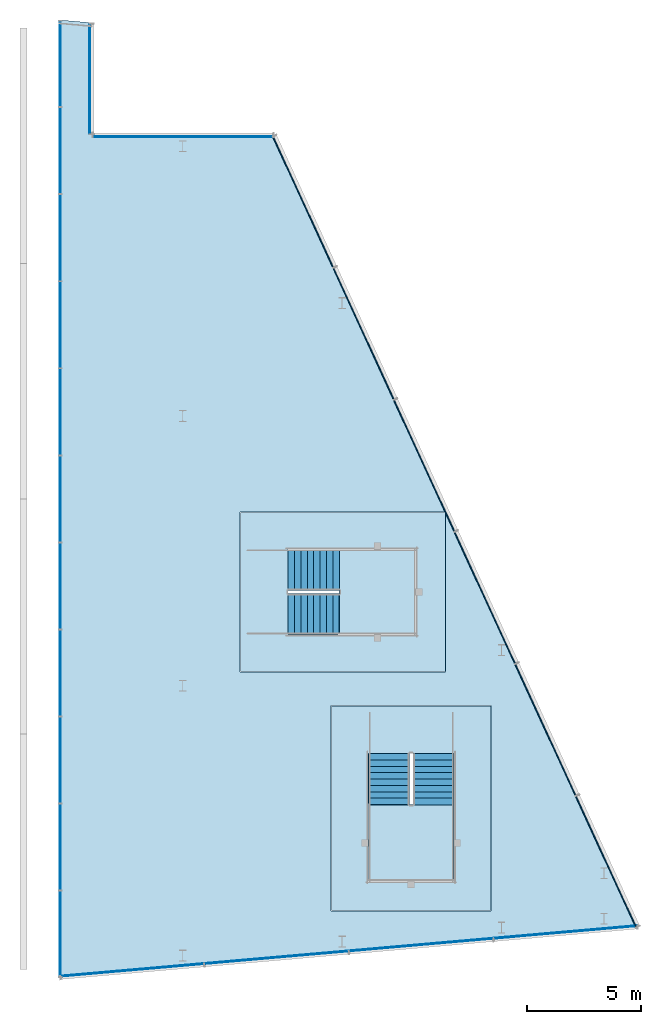
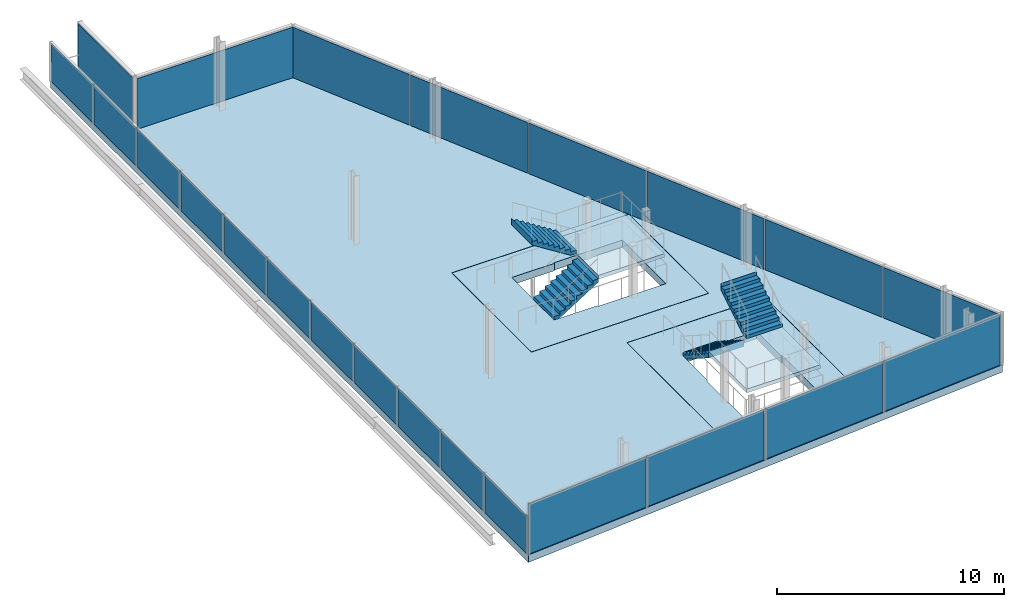
# One storey, part 4 of 6: 23 plates, 5 slabs, 4 stair flights, 7 elements without a shape of their own.
"""IFC4 building model written with IfcOpenShell, lengths in metres."""

from ifc_helpers import new_model, si_unit, direction, frame, origin, origin_2d, place, context, subcontext, project, spatial, polyline, rectangle, outline, extrude, material, layer, layer_set, type_object, element, aggregate, save


model = new_model("IFC4")

# Units and contexts
model_context = context("Model", 3, precision=1e-05, world=origin(), true_north=direction((0.0, 1.0)))
body_context = subcontext(model_context, "Body", "Model", "MODEL_VIEW")
ifc_project = project(units=[si_unit("LENGTHUNIT", "METRE"), si_unit("AREAUNIT", "SQUARE_METRE"), si_unit("VOLUMEUNIT", "CUBIC_METRE"), si_unit("PLANEANGLEUNIT", "RADIAN"), si_unit("MASSUNIT", "GRAM", prefix="KILO")], contexts=[model_context])

# Site, building, storey
site_placement = place(None, origin())
site = spatial("IfcSite", under=ifc_project, at=site_placement, CompositionType="ELEMENT")
building_placement = place(site_placement, origin())
building = spatial("IfcBuilding", under=site, at=building_placement, Name="Wharfspan Tower", CompositionType="ELEMENT")
storey_placement = place(building_placement, frame((0.0, 0.0, 273.899902)))
storey = spatial("IfcBuildingStorey", under=building, at=storey_placement, Name="L70", CompositionType="ELEMENT", Elevation=273.899902)

# Curtain wall, plates
ifc_material_1 = material(Name="Aluminium 6063-T6", Category="aluminium")
curtain_wall_type_1 = type_object("IfcCurtainWallType", Name="CURTAIN WALL CROWN GABLE", PredefinedType="NOTDEFINED", material=ifc_material_1)
curtain_wall_1_placement = place(storey_placement, origin())
curtain_wall_1 = element("IfcCurtainWall", 1, at=curtain_wall_1_placement, inside=storey, type_object=curtain_wall_type_1, Name="Crown gable glazing", PredefinedType="NOTDEFINED")
ifc_material_2 = material(Name="Glass clear low-iron double glazing", Category="glass")
ifc_layer_1 = layer(ifc_material_2, 0.035889)
ifc_layer_set_1 = layer_set([ifc_layer_1], Name="Glass clear low-iron double glazing")
plate_type_1 = type_object("IfcPlateType", Name="GLASS PANEL CROWN GABLE 36", PredefinedType="CURTAIN_PANEL", material=ifc_layer_set_1)
plate_1_placement = place(storey_placement, frame((52.611328, 8.505859, 0.0), z_axis=(0.0, 0.0, 1.0), x_axis=(0.0, 1.0, 0.0)))
plate_1 = element("IfcPlate", 2, at=plate_1_placement, type_object=plate_type_1, Name="Crown gable glazing panel 1", PredefinedType="CURTAIN_PANEL", context=body_context, shape_type="SweptSolid", body=[
    extrude(rectangle(XDim=3.734375, YDim=0.035889, at=origin_2d()), origin(), (0.0, 0.0, 1.0), 2.054443),
])
plate_2_placement = place(storey_placement, frame((52.611328, 12.315186, 0.0), z_axis=(0.0, 0.0, 1.0), x_axis=(0.0, 1.0, 0.0)))
plate_2 = element("IfcPlate", 3, at=plate_2_placement, type_object=plate_type_1, Name="Crown gable glazing panel 2", PredefinedType="CURTAIN_PANEL", context=body_context, shape_type="SweptSolid", body=[
    extrude(rectangle(XDim=3.764404, YDim=0.035889, at=origin_2d()), origin(), (0.0, 0.0, 1.0), 2.054443),
])
plate_3_placement = place(storey_placement, frame((52.611328, 16.139648, 0.0), z_axis=(0.0, 0.0, 1.0), x_axis=(0.0, 1.0, 0.0)))
plate_3 = element("IfcPlate", 4, at=plate_3_placement, type_object=plate_type_1, Name="Crown gable glazing panel 3", PredefinedType="CURTAIN_PANEL", context=body_context, shape_type="SweptSolid", body=[
    extrude(rectangle(XDim=3.764404, YDim=0.035889, at=origin_2d()), origin(), (0.0, 0.0, 1.0), 2.054443),
])
plate_4_placement = place(storey_placement, frame((52.611328, 19.963867, 0.0), z_axis=(0.0, 0.0, 1.0), x_axis=(0.0, 1.0, 0.0)))
plate_4 = element("IfcPlate", 5, at=plate_4_placement, type_object=plate_type_1, Name="Crown gable glazing panel 4", PredefinedType="CURTAIN_PANEL", context=body_context, shape_type="SweptSolid", body=[
    extrude(rectangle(XDim=3.764404, YDim=0.035889, at=origin_2d()), origin(), (0.0, 0.0, 1.0), 2.054443),
])
plate_5_placement = place(storey_placement, frame((52.611328, 23.78833, 0.0), z_axis=(0.0, 0.0, 1.0), x_axis=(0.0, 1.0, 0.0)))
plate_5 = element("IfcPlate", 6, at=plate_5_placement, type_object=plate_type_1, Name="Crown gable glazing panel 5", PredefinedType="CURTAIN_PANEL", context=body_context, shape_type="SweptSolid", body=[
    extrude(rectangle(XDim=3.764404, YDim=0.035889, at=origin_2d()), origin(), (0.0, 0.0, 1.0), 2.054443),
])
plate_6_placement = place(storey_placement, frame((52.611328, 27.612549, 0.0), z_axis=(0.0, 0.0, 1.0), x_axis=(0.0, 1.0, 0.0)))
plate_6 = element("IfcPlate", 7, at=plate_6_placement, type_object=plate_type_1, Name="Crown gable glazing panel 6", PredefinedType="CURTAIN_PANEL", context=body_context, shape_type="SweptSolid", body=[
    extrude(rectangle(XDim=3.764404, YDim=0.035889, at=origin_2d()), origin(), (0.0, 0.0, 1.0), 2.054443),
])
plate_7_placement = place(storey_placement, frame((52.611328, 31.437012, 0.0), z_axis=(0.0, 0.0, 1.0), x_axis=(0.0, 1.0, 0.0)))
plate_7 = element("IfcPlate", 8, at=plate_7_placement, type_object=plate_type_1, Name="Crown gable glazing panel 7", PredefinedType="CURTAIN_PANEL", context=body_context, shape_type="SweptSolid", body=[
    extrude(rectangle(XDim=3.764404, YDim=0.035889, at=origin_2d()), origin(), (0.0, 0.0, 1.0), 2.054443),
])
plate_8_placement = place(storey_placement, frame((52.611328, 35.26123, 0.0), z_axis=(0.0, 0.0, 1.0), x_axis=(0.0, 1.0, 0.0)))
plate_8 = element("IfcPlate", 9, at=plate_8_placement, type_object=plate_type_1, Name="Crown gable glazing panel 8", PredefinedType="CURTAIN_PANEL", context=body_context, shape_type="SweptSolid", body=[
    extrude(rectangle(XDim=3.764404, YDim=0.035889, at=origin_2d()), origin(), (0.0, 0.0, 1.0), 2.054443),
])
plate_9_placement = place(storey_placement, frame((52.611328, 39.085693, 0.0), z_axis=(0.0, 0.0, 1.0), x_axis=(0.0, 1.0, 0.0)))
plate_9 = element("IfcPlate", 10, at=plate_9_placement, type_object=plate_type_1, Name="Crown gable glazing panel 9", PredefinedType="CURTAIN_PANEL", context=body_context, shape_type="SweptSolid", body=[
    extrude(rectangle(XDim=3.764404, YDim=0.035889, at=origin_2d()), origin(), (0.0, 0.0, 1.0), 2.054443),
])
plate_10_placement = place(storey_placement, frame((52.611328, 42.909912, 0.0), z_axis=(0.0, 0.0, 1.0), x_axis=(0.0, 1.0, 0.0)))
plate_10 = element("IfcPlate", 11, at=plate_10_placement, type_object=plate_type_1, Name="Crown gable glazing panel 10", PredefinedType="CURTAIN_PANEL", context=body_context, shape_type="SweptSolid", body=[
    extrude(rectangle(XDim=3.764404, YDim=0.035889, at=origin_2d()), origin(), (0.0, 0.0, 1.0), 2.054443),
])
plate_11_placement = place(storey_placement, frame((52.611328, 46.719238, 0.0), z_axis=(0.0, 0.0, 1.0), x_axis=(0.0, 1.0, 0.0)))
plate_11 = element("IfcPlate", 12, at=plate_11_placement, type_object=plate_type_1, Name="Crown gable glazing panel 11", PredefinedType="CURTAIN_PANEL", context=body_context, shape_type="SweptSolid", body=[
    extrude(rectangle(XDim=3.734375, YDim=0.035889, at=origin_2d()), origin(), (0.0, 0.0, 1.0), 2.054443),
])
aggregate(curtain_wall_1, [plate_1, plate_2, plate_3, plate_4, plate_5, plate_6, plate_7, plate_8, plate_9, plate_10, plate_11])

curtain_wall_type_2 = type_object("IfcCurtainWallType", Name="CURTAIN WALL FACETED FRONT", PredefinedType="NOTDEFINED", material=ifc_material_1)
curtain_wall_2_placement = place(storey_placement, origin())
curtain_wall_2 = element("IfcCurtainWall", 13, at=curtain_wall_2_placement, inside=storey, type_object=curtain_wall_type_2, Name="Crown curtain wall S2", PredefinedType="NOTDEFINED")
ifc_layer_2 = layer(ifc_material_2, 0.040039)
ifc_layer_set_2 = layer_set([ifc_layer_2], Name="Glass clear low-iron double glazing")
plate_type_2 = type_object("IfcPlateType", Name="GLASS PANEL FACETED FRONT 40", PredefinedType="CURTAIN_PANEL", material=ifc_layer_set_2)
plate_12_placement = place(storey_placement, frame((55.777344, 6.916016, 0.0), z_axis=(0.0, 0.0, 1.0), x_axis=(0.996198, 0.087156, 0.0)))
plate_12 = element("IfcPlate", 14, at=plate_12_placement, type_object=plate_type_2, Name="Crown curtain wall S2 panel 1", PredefinedType="CURTAIN_PANEL", context=body_context, shape_type="SweptSolid", body=[
    extrude(rectangle(XDim=6.286377, YDim=0.040039, at=origin_2d()), origin(), (0.0, 0.0, 1.0), 2.719971),
])
plate_13_placement = place(storey_placement, frame((62.114502, 7.470459, 0.0), z_axis=(0.0, 0.0, 1.0), x_axis=(0.996198, 0.087156, 0.0)))
plate_13 = element("IfcPlate", 15, at=plate_13_placement, type_object=plate_type_2, Name="Crown curtain wall S2 panel 2", PredefinedType="CURTAIN_PANEL", context=body_context, shape_type="SweptSolid", body=[
    extrude(rectangle(XDim=6.316406, YDim=0.040039, at=origin_2d()), origin(), (0.0, 0.0, 1.0), 2.719971),
])
plate_14_placement = place(storey_placement, frame((68.466553, 8.026123, 0.0), z_axis=(0.0, 0.0, 1.0), x_axis=(0.996198, 0.087156, 0.0)))
plate_14 = element("IfcPlate", 16, at=plate_14_placement, type_object=plate_type_2, Name="Crown curtain wall S2 panel 3", PredefinedType="CURTAIN_PANEL", context=body_context, shape_type="SweptSolid", body=[
    extrude(rectangle(XDim=6.316406, YDim=0.040039, at=origin_2d()), origin(), (0.0, 0.0, 1.0), 2.719971),
])
plate_15_placement = place(storey_placement, frame((74.803711, 8.580566, 0.0), z_axis=(0.0, 0.0, 1.0), x_axis=(0.996198, 0.087156, 0.0)))
plate_15 = element("IfcPlate", 17, at=plate_15_placement, type_object=plate_type_2, Name="Crown curtain wall S2 panel 4", PredefinedType="CURTAIN_PANEL", context=body_context, shape_type="SweptSolid", body=[
    extrude(rectangle(XDim=6.286377, YDim=0.040039, at=origin_2d()), origin(), (0.0, 0.0, 1.0), 2.719971),
])
aggregate(curtain_wall_2, [plate_12, plate_13, plate_14, plate_15])

curtain_wall_type_3 = type_object("IfcCurtainWallType", Name="CURTAIN WALL PROW AND END", PredefinedType="NOTDEFINED", material=ifc_material_1)
curtain_wall_3_placement = place(storey_placement, origin())
curtain_wall_3 = element("IfcCurtainWall", 18, at=curtain_wall_3_placement, inside=storey, type_object=curtain_wall_type_3, Name="Crown curtain wall E", PredefinedType="NOTDEFINED")
ifc_layer_3 = layer(ifc_material_2, 0.040039)
ifc_layer_set_3 = layer_set([ifc_layer_3], Name="Glass clear low-iron double glazing")
plate_type_3 = type_object("IfcPlateType", Name="GLASS PANEL PROW AND END 40", PredefinedType="CURTAIN_PANEL", material=ifc_layer_set_3)
plate_16_placement = place(storey_placement, frame((76.589355, 11.680176, 0.0), z_axis=(0.0, 0.0, 1.0), x_axis=(-0.417292, 0.908769, 0.0)))
plate_16 = element("IfcPlate", 19, at=plate_16_placement, type_object=plate_type_3, Name="Crown curtain wall E panel 1", PredefinedType="CURTAIN_PANEL", context=body_context, shape_type="SweptSolid", body=[
    extrude(rectangle(XDim=6.292236, YDim=0.040039, at=origin_2d()), origin(), (0.0, 0.0, 1.0), 2.719971),
])
plate_17_placement = place(storey_placement, frame((73.932373, 17.466553, 0.0), z_axis=(0.0, 0.0, 1.0), x_axis=(-0.417292, 0.908769, 0.0)))
plate_17 = element("IfcPlate", 20, at=plate_17_placement, type_object=plate_type_3, Name="Crown curtain wall E panel 2", PredefinedType="CURTAIN_PANEL", context=body_context, shape_type="SweptSolid", body=[
    extrude(rectangle(XDim=6.322266, YDim=0.040039, at=origin_2d()), origin(), (0.0, 0.0, 1.0), 2.719971),
])
plate_18_placement = place(storey_placement, frame((71.269043, 23.266602, 0.0), z_axis=(0.0, 0.0, 1.0), x_axis=(-0.417292, 0.908769, 0.0)))
plate_18 = element("IfcPlate", 21, at=plate_18_placement, type_object=plate_type_3, Name="Crown curtain wall E panel 3", PredefinedType="CURTAIN_PANEL", context=body_context, shape_type="SweptSolid", body=[
    extrude(rectangle(XDim=6.322266, YDim=0.040039, at=origin_2d()), origin(), (0.0, 0.0, 1.0), 2.719971),
])
plate_19_placement = place(storey_placement, frame((68.605957, 29.06665, 0.0), z_axis=(0.0, 0.0, 1.0), x_axis=(-0.417292, 0.908769, 0.0)))
plate_19 = element("IfcPlate", 22, at=plate_19_placement, type_object=plate_type_3, Name="Crown curtain wall E panel 4", PredefinedType="CURTAIN_PANEL", context=body_context, shape_type="SweptSolid", body=[
    extrude(rectangle(XDim=6.322266, YDim=0.040039, at=origin_2d()), origin(), (0.0, 0.0, 1.0), 2.719971),
])
plate_20_placement = place(storey_placement, frame((65.942627, 34.866699, 0.0), z_axis=(0.0, 0.0, 1.0), x_axis=(-0.417292, 0.908769, 0.0)))
plate_20 = element("IfcPlate", 23, at=plate_20_placement, type_object=plate_type_3, Name="Crown curtain wall E panel 5", PredefinedType="CURTAIN_PANEL", context=body_context, shape_type="SweptSolid", body=[
    extrude(rectangle(XDim=6.322266, YDim=0.040039, at=origin_2d()), origin(), (0.0, 0.0, 1.0), 2.719971),
])
plate_21_placement = place(storey_placement, frame((63.285645, 40.653076, 0.0), z_axis=(0.0, 0.0, 1.0), x_axis=(-0.417292, 0.908769, 0.0)))
plate_21 = element("IfcPlate", 24, at=plate_21_placement, type_object=plate_type_3, Name="Crown curtain wall E panel 6", PredefinedType="CURTAIN_PANEL", context=body_context, shape_type="SweptSolid", body=[
    extrude(rectangle(XDim=6.292236, YDim=0.040039, at=origin_2d()), origin(), (0.0, 0.0, 1.0), 2.719971),
])
aggregate(curtain_wall_3, [plate_16, plate_17, plate_18, plate_19, plate_20, plate_21])

# Curtain wall, plate
curtain_wall_4_placement = place(storey_placement, origin())
curtain_wall_4 = element("IfcCurtainWall", 25, at=curtain_wall_4_placement, inside=storey, type_object=curtain_wall_type_3, Name="Crown curtain wall NRE-H", PredefinedType="NOTDEFINED")
plate_22_placement = place(storey_placement, frame((58.010254, 43.52002, 0.0), z_axis=(0.0, 0.0, 1.0), x_axis=(-1.0, 0.0, 0.0)))
plate_22 = element("IfcPlate", 26, at=plate_22_placement, type_object=plate_type_3, Name="Crown curtain wall NRE-H panel 1", PredefinedType="CURTAIN_PANEL", context=body_context, shape_type="SweptSolid", body=[
    extrude(rectangle(XDim=7.900391, YDim=0.040039, at=origin_2d()), origin(), (0.0, 0.0, 1.0), 2.719971),
])
aggregate(curtain_wall_4, [plate_22])

curtain_wall_5_placement = place(storey_placement, origin())
curtain_wall_5 = element("IfcCurtainWall", 27, at=curtain_wall_5_placement, inside=storey, type_object=curtain_wall_type_3, Name="Crown curtain wall NRE-V", PredefinedType="NOTDEFINED")
plate_23_placement = place(storey_placement, frame((53.919922, 46.0625, 0.0), z_axis=(0.0, 0.0, 1.0), x_axis=(0.0, 1.0, 0.0)))
plate_23 = element("IfcPlate", 28, at=plate_23_placement, type_object=plate_type_3, Name="Crown curtain wall NRE-V panel 1", PredefinedType="CURTAIN_PANEL", context=body_context, shape_type="SweptSolid", body=[
    extrude(rectangle(XDim=4.804932, YDim=0.040039, at=origin_2d()), origin(), (0.0, 0.0, 1.0), 2.719971),
])
aggregate(curtain_wall_5, [plate_23])

# Slabs
ifc_material_3 = material(Name="Concrete C40/50", Category="concrete")
ifc_layer_4 = layer(ifc_material_3, 0.399902)
ifc_layer_set_4 = layer_set([ifc_layer_4], Name="Concrete C40/50")
slab_type_1 = type_object("IfcSlabType", Name="Gallery deck 400", PredefinedType="USERDEFINED", material=ifc_layer_set_4)
slab_1_placement = place(storey_placement, frame((0.0, 0.0, -0.400146)))
element("IfcSlab", 29, at=slab_1_placement, inside=storey, type_object=slab_type_1, Name="Floor slab L70", ObjectType="GALLERY DECK", PredefinedType="USERDEFINED", context=body_context, shape_type="SweptSolid", body=[
    extrude(outline(polyline([(54.0, 48.524902), (52.611328, 48.646484), (52.611328, 6.578857), (78.0, 8.800049), (62.020508, 43.600098), (54.0, 43.600098), (54.0, 48.524902)]), holes=[polyline([(64.521484, 9.511719), (64.521484, 18.531738), (71.541504, 18.531738), (71.541504, 9.511719), (64.521484, 9.511719)]), polyline([(60.521484, 20.011719), (60.521484, 27.031738), (69.541504, 27.031738), (69.541504, 20.011719), (60.521484, 20.011719)])]), origin(), (0.0, 0.0, 1.0), 0.400146),
])
slab_2_placement = place(storey_placement, frame((0.0, 0.0, -0.400146)))
element("IfcSlab", 30, at=slab_2_placement, inside=storey, type_object=slab_type_1, Name="Core floor slab L70 part 1", ObjectType="GALLERY DECK", PredefinedType="USERDEFINED", context=body_context, shape_type="SweptSolid", body=[
    extrude(outline(polyline([(60.531494, 20.021729), (69.531494, 20.021729), (69.531494, 27.021729), (60.531494, 27.021729), (60.531494, 20.021729)]), holes=[polyline([(64.81958, 25.398682), (64.81958, 25.446777), (64.81958, 25.447021), (64.81958, 25.447021), (64.81958, 25.447266), (64.819824, 25.44751), (64.819824, 25.447754), (64.820068, 25.447754), (64.820068, 25.447998), (64.820312, 25.447998), (64.820312, 25.448242), (64.820557, 25.448486), (64.820801, 25.448486), (64.820801, 25.448486), (64.821045, 25.448486), (64.821289, 25.44873), (64.821289, 25.44873), (64.821533, 25.44873), (68.281494, 25.44873), (68.281738, 25.44873), (68.281982, 25.44873), (68.282227, 25.448486), (68.282471, 25.448486), (68.282715, 25.448486), (68.282715, 25.448486), (68.282959, 25.448242), (68.282959, 25.447998), (68.283203, 25.447998), (68.283203, 25.447754), (68.283447, 25.447754), (68.283447, 25.44751), (68.283447, 25.447266), (68.283691, 25.447021), (68.283691, 25.447021), (68.283691, 25.446777), (68.283691, 21.59668), (68.283691, 21.596436), (68.283691, 21.596191), (68.283447, 21.596191), (68.283447, 21.595947), (68.283447, 21.595703), (68.283203, 21.595703), (68.283203, 21.595459), (68.282959, 21.595215), (68.282959, 21.595215), (68.282715, 21.595215), (68.282715, 21.594971), (68.282471, 21.594971), (68.282227, 21.594727), (68.281982, 21.594727), (68.281738, 21.594727), (68.281494, 21.594727), (64.821533, 21.594727), (64.821289, 21.594727), (64.821289, 21.594727), (64.821045, 21.594727), (64.820801, 21.594971), (64.820801, 21.594971), (64.820557, 21.595215), (64.820312, 21.595215), (64.820312, 21.595215), (64.820068, 21.595459), (64.820068, 21.595703), (64.819824, 21.595703), (64.819824, 21.595947), (64.81958, 21.596191), (64.81958, 21.596191), (64.81958, 21.596436), (64.81958, 21.59668), (64.81958, 21.644775), (62.631592, 21.644775), (62.631348, 21.644775), (62.631104, 21.644775), (62.631104, 21.644775), (62.630859, 21.64502), (62.630615, 21.64502), (62.630615, 21.64502), (62.630371, 21.645264), (62.630127, 21.645264), (62.630127, 21.645508), (62.629883, 21.645508), (62.629883, 21.645752), (62.629883, 21.645996), (62.629639, 21.645996), (62.629639, 21.64624), (62.629639, 21.646484), (62.629639, 21.646729), (62.629639, 25.396729), (62.629639, 25.396973), (62.629639, 25.397217), (62.629639, 25.397217), (62.629883, 25.397461), (62.629883, 25.397705), (62.629883, 25.397705), (62.630127, 25.397949), (62.630127, 25.398193), (62.630371, 25.398193), (62.630615, 25.398438), (62.630615, 25.398438), (62.630859, 25.398682), (62.631104, 25.398682), (62.631104, 25.398682), (62.631348, 25.398682), (62.631592, 25.398682), (64.81958, 25.398682)])]), origin(), (0.0, 0.0, 1.0), 0.400146),
])
slab_3_placement = place(storey_placement, frame((0.0, 0.0, -0.400146)))
element("IfcSlab", 31, at=slab_3_placement, inside=storey, type_object=slab_type_1, Name="Core floor slab L70 part 2", ObjectType="GALLERY DECK", PredefinedType="USERDEFINED", context=body_context, shape_type="SweptSolid", body=[
    extrude(outline(polyline([(64.531494, 9.521729), (71.531494, 9.521729), (71.531494, 18.521729), (64.531494, 18.521729), (64.531494, 9.521729)]), holes=[polyline([(66.154541, 16.421631), (66.154541, 16.421875), (66.154785, 16.422119), (66.154785, 16.422363), (66.154785, 16.422607), (66.154785, 16.422607), (66.155029, 16.422852), (66.155029, 16.423096), (66.155273, 16.423096), (66.155518, 16.42334), (66.155518, 16.42334), (66.155762, 16.423584), (66.156006, 16.423584), (66.156006, 16.423584), (66.15625, 16.423584), (66.156494, 16.423584), (66.156494, 16.423584), (69.906494, 16.423584), (69.906738, 16.423584), (69.906982, 16.423584), (69.907227, 16.423584), (69.907471, 16.423584), (69.907715, 16.423584), (69.907715, 16.42334), (69.907959, 16.42334), (69.907959, 16.423096), (69.908203, 16.423096), (69.908203, 16.422852), (69.908447, 16.422607), (69.908447, 16.422607), (69.908447, 16.422363), (69.908691, 16.422119), (69.908691, 16.421875), (69.908691, 16.421631), (69.908691, 14.233643), (69.956543, 14.233643), (69.956787, 14.233643), (69.957031, 14.233643), (69.957275, 14.233643), (69.95752, 14.233643), (69.95752, 14.233398), (69.957764, 14.233398), (69.958008, 14.233398), (69.958008, 14.233154), (69.958252, 14.23291), (69.958252, 14.23291), (69.958496, 14.232666), (69.958496, 14.232422), (69.958496, 14.232422), (69.958496, 14.232178), (69.958496, 14.231934), (69.958496, 14.231689), (69.958496, 10.771729), (69.958496, 10.771484), (69.958496, 10.77124), (69.958496, 10.770996), (69.958496, 10.770996), (69.958496, 10.770752), (69.958252, 10.770508), (69.958252, 10.770508), (69.958008, 10.770264), (69.958008, 10.770264), (69.957764, 10.77002), (69.95752, 10.77002), (69.95752, 10.77002), (69.957275, 10.769775), (69.957031, 10.769775), (69.956787, 10.769775), (69.956543, 10.769775), (66.106689, 10.769775), (66.106445, 10.769775), (66.106201, 10.769775), (66.106201, 10.769775), (66.105957, 10.77002), (66.105713, 10.77002), (66.105469, 10.77002), (66.105469, 10.770264), (66.105225, 10.770264), (66.10498, 10.770508), (66.10498, 10.770508), (66.10498, 10.770752), (66.104736, 10.770996), (66.104736, 10.770996), (66.104736, 10.77124), (66.104492, 10.771484), (66.104492, 10.771729), (66.104492, 14.231689), (66.104492, 14.231934), (66.104736, 14.232178), (66.104736, 14.232422), (66.104736, 14.232422), (66.10498, 14.232666), (66.10498, 14.23291), (66.10498, 14.23291), (66.105225, 14.233154), (66.105469, 14.233398), (66.105469, 14.233398), (66.105713, 14.233398), (66.105957, 14.233643), (66.106201, 14.233643), (66.106201, 14.233643), (66.106445, 14.233643), (66.106689, 14.233643), (66.154541, 14.233643), (66.154541, 16.421631)])]), origin(), (0.0, 0.0, 1.0), 0.400146),
])

# Stair, slab
stair_type = type_object("IfcStairType", Name="Half-turn stair 18 risers 178 mm", PredefinedType="HALF_TURN_STAIR", material=ifc_material_3)
stair_1_placement = place(storey_placement, origin())
stair_1 = element("IfcStair", 32, at=stair_1_placement, inside=storey, type_object=stair_type, Name="L70 stair ST7", PredefinedType="HALF_TURN_STAIR")
ifc_layer_5 = layer(ifc_material_3, 0.199951)
ifc_layer_set_5 = layer_set([ifc_layer_5], Name="Concrete C40/50")
slab_type_2 = type_object("IfcSlabType", Name="Stair landing 200", PredefinedType="LANDING", material=ifc_layer_set_5)
slab_4_placement = place(storey_placement, frame((0.0, 0.0, 1.399902)))
slab_4 = element("IfcSlab", 33, at=slab_4_placement, type_object=slab_type_2, Name="ST7 landing 1", PredefinedType="LANDING", context=body_context, shape_type="SweptSolid", body=[
    extrude(outline(polyline([(66.156738, 14.181641), (66.156738, 10.821777), (69.906738, 10.821777), (69.906738, 14.181641), (66.156738, 14.181641)])), origin(), (0.0, 0.0, 1.0), 0.200195),
])

stair_2_placement = place(storey_placement, origin())
stair_2 = element("IfcStair", 34, at=stair_2_placement, inside=storey, type_object=stair_type, Name="L70 stair ST8", PredefinedType="HALF_TURN_STAIR")
slab_5_placement = place(storey_placement, frame((0.0, 0.0, 1.399902)))
slab_5 = element("IfcSlab", 35, at=slab_5_placement, type_object=slab_type_2, Name="ST8 landing 1", PredefinedType="LANDING", context=body_context, shape_type="SweptSolid", body=[
    extrude(outline(polyline([(64.871582, 21.646729), (68.231689, 21.646729), (68.231689, 25.396729), (64.871582, 25.396729), (64.871582, 21.646729)])), origin(), (0.0, 0.0, 1.0), 0.200195),
])

# Stair flight
stair_flight_type = type_object("IfcStairFlightType", Name="Stair flight 18 risers 178 mm", PredefinedType="STRAIGHT", material=ifc_material_3)
stair_flight_1_placement = place(storey_placement, frame((67.056641, 16.421631, 0.0), z_axis=(0.0, 0.0, 1.0), x_axis=(0.0, -1.0, 0.0)))
stair_flight_1 = element("IfcStairFlight", 36, at=stair_flight_1_placement, type_object=stair_flight_type, Name="ST7 flight 1", NumberOfRisers=9, NumberOfTreads=8, PredefinedType="STRAIGHT", RiserHeight=0.177778, TreadLength=0.28, context=body_context, shape_type="SweptSolid", body=[
    extrude(outline(polyline([(-0.011963, 0.0), (-0.011963, 0.177734), (0.0, 0.177734), (0.280029, 0.177734), (0.280029, 0.355469), (0.560059, 0.355469), (0.560059, 0.533447), (0.840088, 0.533447), (0.840088, 0.711182), (1.120117, 0.711182), (1.120117, 0.888916), (1.399902, 0.888916), (1.399902, 1.06665), (1.679932, 1.06665), (1.679932, 1.244385), (1.959961, 1.244385), (1.959961, 1.422119), (2.23999, 1.422119), (2.251953, 1.600098), (2.251953, 1.244629), (0.279785, 0.0), (-0.011963, 0.0)])), frame((0.0, 0.899902, 0.0), z_axis=(0.0, -1.0, 0.0), x_axis=(1.0, 0.0, 0.0)), (0.0, 0.0, 1.0), 0.899414),
    extrude(outline(polyline([(-0.011963, 0.0), (-0.011963, 0.177734), (0.0, 0.177734), (0.280029, 0.177734), (0.280029, 0.355469), (0.560059, 0.355469), (0.560059, 0.533447), (0.840088, 0.533447), (0.840088, 0.711182), (1.120117, 0.711182), (1.120117, 0.888916), (1.399902, 0.888916), (1.399902, 1.06665), (1.679932, 1.06665), (1.679932, 1.244385), (1.959961, 1.244385), (1.959961, 1.422119), (2.23999, 1.422119), (2.251953, 1.600098), (2.251953, 1.244629), (0.279785, 0.0), (-0.011963, 0.0)])), frame((0.0, -0.000488, 0.0), z_axis=(0.0, -1.0, 0.0), x_axis=(1.0, 0.0, 0.0)), (0.0, 0.0, 1.0), 0.899414),
])

stair_flight_2_placement = place(storey_placement, frame((69.006592, 14.181641, 1.600098), z_axis=(0.0, 0.0, 1.0), x_axis=(0.0, 1.0, 0.0)))
stair_flight_2 = element("IfcStairFlight", 37, at=stair_flight_2_placement, type_object=stair_flight_type, Name="ST7 flight 2", NumberOfRisers=9, NumberOfTreads=8, PredefinedType="STRAIGHT", RiserHeight=0.177778, TreadLength=0.28, context=body_context, shape_type="SweptSolid", body=[
    extrude(outline(polyline([(-0.011963, 0.0), (-0.011963, 0.177734), (0.0, 0.177734), (0.280029, 0.177734), (0.280029, 0.355469), (0.560059, 0.355469), (0.560059, 0.533447), (0.840088, 0.533447), (0.840088, 0.711182), (1.120117, 0.711182), (1.120117, 0.888916), (1.399902, 0.888916), (1.399902, 1.06665), (1.679932, 1.06665), (1.679932, 1.244385), (1.959961, 1.244385), (1.959961, 1.422119), (2.23999, 1.422119), (2.251953, 1.600098), (2.251953, 1.244629), (0.279785, 0.0), (-0.011963, 0.0)])), frame((0.0, 0.899902, 0.0), z_axis=(0.0, -1.0, 0.0), x_axis=(1.0, 0.0, 0.0)), (0.0, 0.0, 1.0), 0.899414),
    extrude(outline(polyline([(-0.011963, 0.0), (-0.011963, 0.177734), (0.0, 0.177734), (0.280029, 0.177734), (0.280029, 0.355469), (0.560059, 0.355469), (0.560059, 0.533447), (0.840088, 0.533447), (0.840088, 0.711182), (1.120117, 0.711182), (1.120117, 0.888916), (1.399902, 0.888916), (1.399902, 1.06665), (1.679932, 1.06665), (1.679932, 1.244385), (1.959961, 1.244385), (1.959961, 1.422119), (2.23999, 1.422119), (2.251953, 1.600098), (2.251953, 1.244629), (0.279785, 0.0), (-0.011963, 0.0)])), frame((0.0, -0.000488, 0.0), z_axis=(0.0, -1.0, 0.0), x_axis=(1.0, 0.0, 0.0)), (0.0, 0.0, 1.0), 0.899414),
])

aggregate(stair_1, [stair_flight_1, stair_flight_2, slab_4])

stair_flight_3_placement = place(storey_placement, frame((62.631592, 22.546631, 0.0), z_axis=(0.0, 0.0, 1.0), x_axis=(1.0, 0.0, 0.0)))
stair_flight_3 = element("IfcStairFlight", 38, at=stair_flight_3_placement, type_object=stair_flight_type, Name="ST8 flight 1", NumberOfRisers=9, NumberOfTreads=8, PredefinedType="STRAIGHT", RiserHeight=0.177778, TreadLength=0.28, context=body_context, shape_type="SweptSolid", body=[
    extrude(outline(polyline([(-0.011963, 0.0), (-0.011963, 0.177734), (0.0, 0.177734), (0.280029, 0.177734), (0.280029, 0.355469), (0.560059, 0.355469), (0.560059, 0.533447), (0.840088, 0.533447), (0.840088, 0.711182), (1.120117, 0.711182), (1.120117, 0.888916), (1.399902, 0.888916), (1.399902, 1.06665), (1.679932, 1.06665), (1.679932, 1.244385), (1.959961, 1.244385), (1.959961, 1.422119), (2.23999, 1.422119), (2.251953, 1.600098), (2.251953, 1.244629), (0.279785, 0.0), (-0.011963, 0.0)])), frame((0.0, 0.899902, 0.0), z_axis=(0.0, -1.0, 0.0), x_axis=(1.0, 0.0, 0.0)), (0.0, 0.0, 1.0), 0.899414),
    extrude(outline(polyline([(-0.011963, 0.0), (-0.011963, 0.177734), (0.0, 0.177734), (0.280029, 0.177734), (0.280029, 0.355469), (0.560059, 0.355469), (0.560059, 0.533447), (0.840088, 0.533447), (0.840088, 0.711182), (1.120117, 0.711182), (1.120117, 0.888916), (1.399902, 0.888916), (1.399902, 1.06665), (1.679932, 1.06665), (1.679932, 1.244385), (1.959961, 1.244385), (1.959961, 1.422119), (2.23999, 1.422119), (2.251953, 1.600098), (2.251953, 1.244629), (0.279785, 0.0), (-0.011963, 0.0)])), frame((0.0, -0.000488, 0.0), z_axis=(0.0, -1.0, 0.0), x_axis=(1.0, 0.0, 0.0)), (0.0, 0.0, 1.0), 0.899414),
])

stair_flight_4_placement = place(storey_placement, frame((64.871582, 24.496826, 1.600098), z_axis=(0.0, 0.0, 1.0), x_axis=(-1.0, 0.0, 0.0)))
stair_flight_4 = element("IfcStairFlight", 39, at=stair_flight_4_placement, type_object=stair_flight_type, Name="ST8 flight 2", NumberOfRisers=9, NumberOfTreads=8, PredefinedType="STRAIGHT", RiserHeight=0.177778, TreadLength=0.28, context=body_context, shape_type="SweptSolid", body=[
    extrude(outline(polyline([(-0.011963, 0.0), (-0.011963, 0.177734), (0.0, 0.177734), (0.280029, 0.177734), (0.280029, 0.355469), (0.560059, 0.355469), (0.560059, 0.533447), (0.840088, 0.533447), (0.840088, 0.711182), (1.120117, 0.711182), (1.120117, 0.888916), (1.399902, 0.888916), (1.399902, 1.06665), (1.679932, 1.06665), (1.679932, 1.244385), (1.959961, 1.244385), (1.959961, 1.422119), (2.23999, 1.422119), (2.251953, 1.600098), (2.251953, 1.244629), (0.279785, 0.0), (-0.011963, 0.0)])), frame((0.0, 0.899902, 0.0), z_axis=(0.0, -1.0, 0.0), x_axis=(1.0, 0.0, 0.0)), (0.0, 0.0, 1.0), 0.899414),
    extrude(outline(polyline([(-0.011963, 0.0), (-0.011963, 0.177734), (0.0, 0.177734), (0.280029, 0.177734), (0.280029, 0.355469), (0.560059, 0.355469), (0.560059, 0.533447), (0.840088, 0.533447), (0.840088, 0.711182), (1.120117, 0.711182), (1.120117, 0.888916), (1.399902, 0.888916), (1.399902, 1.06665), (1.679932, 1.06665), (1.679932, 1.244385), (1.959961, 1.244385), (1.959961, 1.422119), (2.23999, 1.422119), (2.251953, 1.600098), (2.251953, 1.244629), (0.279785, 0.0), (-0.011963, 0.0)])), frame((0.0, -0.000488, 0.0), z_axis=(0.0, -1.0, 0.0), x_axis=(1.0, 0.0, 0.0)), (0.0, 0.0, 1.0), 0.899414),
])

aggregate(stair_2, [stair_flight_3, stair_flight_4, slab_5])

save(model, "model.ifc")
